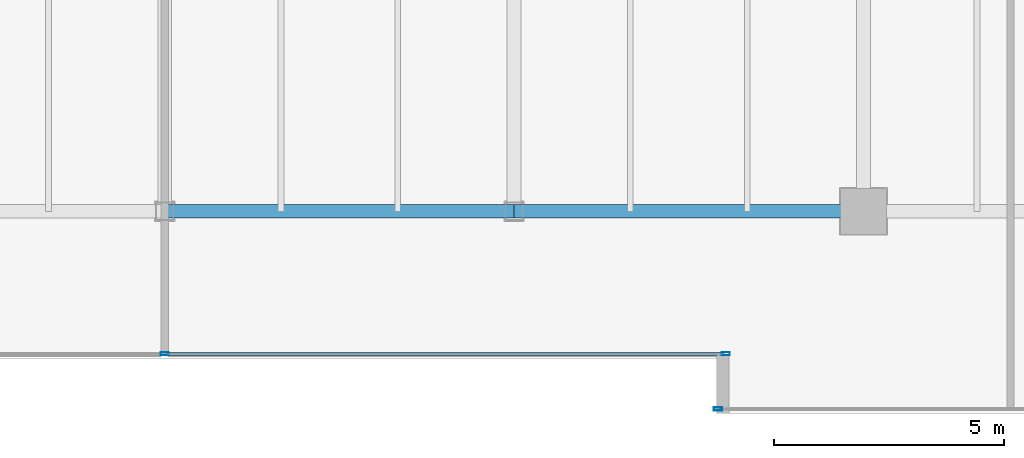
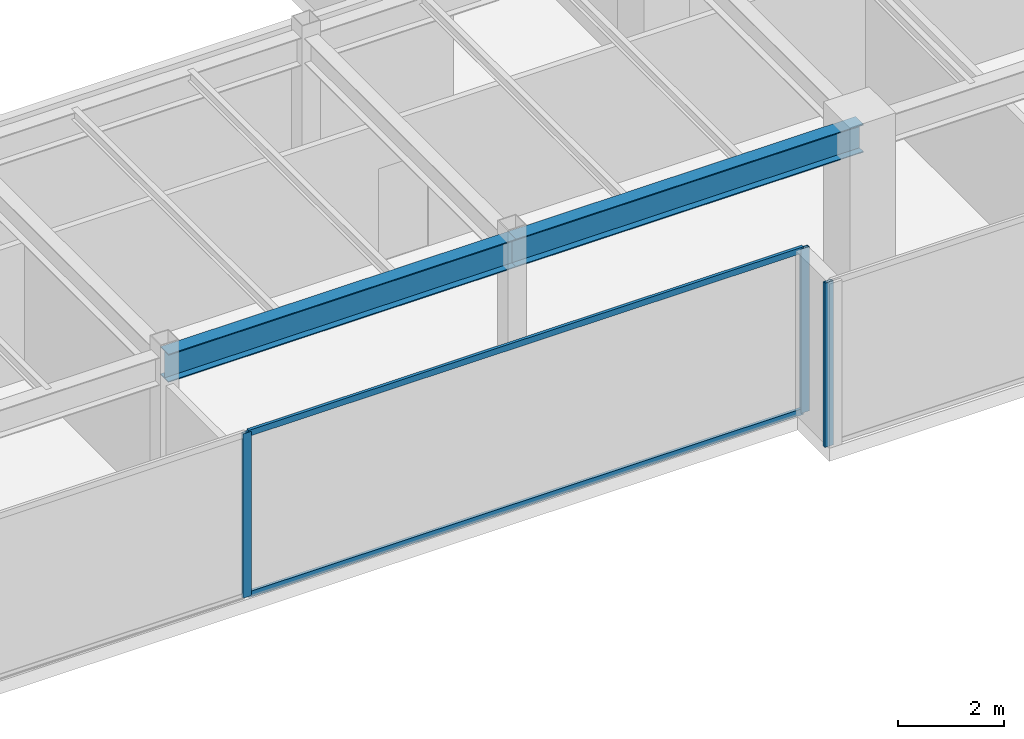
# One storey, part 11 of 36: 5 members, 2 beams, 2 elements without a shape of their own.
"""IFC4 building model written with IfcOpenShell, lengths in metres."""

from ifc_helpers import new_model, si_unit, direction, frame, origin, origin_2d, place, context, subcontext, project, spatial, hollow_rectangle, i_section, extrude, source, transform, mapped, material, layer, layer_set, material_profile, profile_set, type_object, type_shapes, element, aggregate, save


model = new_model("IFC4")

# Units and contexts
model_context = context("Model", 3, precision=1e-05, world=origin(), true_north=direction((0.0, 1.0)))
body_context = subcontext(model_context, "Body", "Model", "MODEL_VIEW")
ifc_project = project(units=[si_unit("LENGTHUNIT", "METRE"), si_unit("AREAUNIT", "SQUARE_METRE"), si_unit("VOLUMEUNIT", "CUBIC_METRE"), si_unit("PLANEANGLEUNIT", "RADIAN"), si_unit("MASSUNIT", "GRAM", prefix="KILO")], contexts=[model_context])

# Site, building, storey
site_placement = place(None, origin())
site = spatial("IfcSite", under=ifc_project, at=site_placement, CompositionType="ELEMENT")
building_placement = place(site_placement, origin())
building = spatial("IfcBuilding", under=site, at=building_placement, Name="Haelvirn Gate Laboratories", CompositionType="ELEMENT")
storey_placement = place(building_placement, frame((0.0, 0.0, 254.699951171875)))
storey = spatial("IfcBuildingStorey", under=building, at=storey_placement, Name="L61", CompositionType="ELEMENT", Elevation=254.699951171875)

# Beams
ifc_material_1 = material(Name="Steel SM355", Category="steel")
ifc_material_profile_1 = material_profile(ifc_material_1, i_section(OverallWidth=0.300048828125, OverallDepth=0.64990234375, WebThickness=0.012939453125, FlangeThickness=0.02197265625, at=origin_2d()), Name="H-650x300x13x22")
ifc_profile_set_1 = profile_set([ifc_material_profile_1], Name="Steel SM355")
beam_type = type_object("IfcBeamType", Name="BM-G-650", PredefinedType="BEAM", material=ifc_profile_set_1)
shared_shape_1 = source(origin(), body_context, "Body", "SweptSolid", [
    extrude(i_section(OverallWidth=0.300048828125, OverallDepth=0.64990234375, WebThickness=0.012939453125, FlangeThickness=0.02197265625, at=origin_2d()), origin(), (0.0, 0.0, 1.0), 7.60009765625),
])
type_shapes(beam_type, [shared_shape_1])
for number, where, z_axis, x_axis, name in (
    (1, (37.39990234375, 7.0, 3.47509765625), (1.0, 0.0, 0.0), (0.0, 1.0, 0.0), "L61 Primary Girder Y7.0 (37.4-45.0)"),
    (2, (45.0, 7.0, 3.47509765625), (1.0, 0.0, 0.0), (0.0, 1.0, 0.0), "L61 Primary Girder Y7.0 (45.0-52.6)"),
):
    element("IfcBeam", number, at=place(storey_placement, frame(where, z_axis=z_axis, x_axis=x_axis)), inside=storey, type_object=beam_type, Name=name, PredefinedType="BEAM", context=body_context, shape_type="MappedRepresentation", body=[
        mapped(shared_shape_1, transform((0.0, 0.0, 0.0), scale=1.0)),
    ])

# Curtain wall, members
ifc_material_2 = material(Name="Anodised bronze unitised aluminium & triple low-E glass", Category="aluminium")
ifc_layer = layer(ifc_material_2, 0.176025390625, Name="CW-SYS-4")
ifc_layer_set = layer_set([ifc_layer], Name="Anodised bronze unitised aluminium & triple low-E glass")
curtain_wall_type = type_object("IfcCurtainWallType", Name="CW-SYS-4", PredefinedType="NOTDEFINED", material=ifc_layer_set)
curtain_wall_1_placement = place(storey_placement, origin())
curtain_wall_1 = element("IfcCurtainWall", 3, at=curtain_wall_1_placement, inside=storey, type_object=curtain_wall_type, Name="L61 Unitised Curtain Wall CW-L61-P0-E02-1", PredefinedType="NOTDEFINED")
ifc_material_3 = material(Name="Extruded aluminium 6063-T6 (anodised bronze)", Category="aluminium")
ifc_material_profile_2 = material_profile(ifc_material_3, hollow_rectangle(XDim=0.06494140625, YDim=0.139892578125, WallThickness=0.00390625, at=origin_2d()), Name="CWT-140x65x4")
ifc_profile_set_2 = profile_set([ifc_material_profile_2], Name="Extruded aluminium 6063-T6 (anodised bronze)")
member_type_1 = type_object("IfcMemberType", Name="CWT-T140", PredefinedType="USERDEFINED", material=ifc_profile_set_2)
shared_shape_2 = source(origin(), body_context, "Body", "SweptSolid", [
    extrude(hollow_rectangle(XDim=0.06494140625, YDim=0.139892578125, WallThickness=0.00390625, at=origin_2d()), origin(), (0.0, 0.0, 1.0), 12.135009765625),
])
type_shapes(member_type_1, [shared_shape_2])
member_1_placement = place(storey_placement, frame((37.43505859375, 3.89990234375, 0.032470703125), z_axis=(1.0, 0.0, 0.0), x_axis=(0.0, 1.0, 0.0)))
member_1 = element("IfcMember", 4, at=member_1_placement, type_object=member_type_1, Name="CW4 transom 2.1", ObjectType="TRANSOM", PredefinedType="USERDEFINED", context=body_context, shape_type="MappedRepresentation", body=[
    mapped(shared_shape_2, transform((0.0, 0.0, 0.0), scale=1.0)),
])
member_2_placement = place(storey_placement, frame((37.43505859375, 3.89990234375, 3.767578125), z_axis=(1.0, 0.0, 0.0), x_axis=(0.0, 1.0, 0.0)))
member_2 = element("IfcMember", 5, at=member_2_placement, type_object=member_type_1, Name="CW4 transom 2.2", ObjectType="TRANSOM", PredefinedType="USERDEFINED", context=body_context, shape_type="MappedRepresentation", body=[
    mapped(shared_shape_2, transform((0.0, 0.0, 0.0), scale=1.0)),
])
ifc_material_profile_3 = material_profile(ifc_material_3, hollow_rectangle(XDim=0.070068359375, YDim=0.179931640625, WallThickness=0.0048828125, at=origin_2d()), Name="CWM-180x70x5")
ifc_profile_set_3 = profile_set([ifc_material_profile_3], Name="Extruded aluminium 6063-T6 (anodised bronze)")
member_type_2 = type_object("IfcMemberType", Name="CWM-T180", PredefinedType="MULLION", material=ifc_profile_set_3)
shared_shape_3 = source(origin(), body_context, "Body", "SweptSolid", [
    extrude(hollow_rectangle(XDim=0.070068359375, YDim=0.179931640625, WallThickness=0.0048828125, at=origin_2d()), origin(), (0.0, 0.0, 1.0), 3.800048828125),
])
type_shapes(member_type_2, [shared_shape_3])
member_3_placement = place(storey_placement, frame((37.39990234375, 3.89990234375, 0.0), z_axis=(0.0, 0.0, 1.0), x_axis=(0.0, 1.0, 0.0)))
member_3 = element("IfcMember", 6, at=member_3_placement, type_object=member_type_2, Name="CW4 mullion 2", PredefinedType="MULLION", context=body_context, shape_type="MappedRepresentation", body=[
    mapped(shared_shape_3, transform((0.0, 0.0, 0.0), scale=1.0)),
])
member_4_placement = place(storey_placement, frame((49.60498046875, 3.89990234375, 0.0), z_axis=(0.0, 0.0, 1.0), x_axis=(0.0, 1.0, 0.0)))
member_4 = element("IfcMember", 7, at=member_4_placement, type_object=member_type_2, Name="CW4 mullion 3", PredefinedType="MULLION", context=body_context, shape_type="MappedRepresentation", body=[
    mapped(shared_shape_3, transform((0.0, 0.0, 0.0), scale=1.0)),
])
aggregate(curtain_wall_1, [member_3, member_4, member_1, member_2])

# Curtain wall, member
curtain_wall_2_placement = place(storey_placement, origin())
curtain_wall_2 = element("IfcCurtainWall", 8, at=curtain_wall_2_placement, inside=storey, type_object=curtain_wall_type, Name="L61 Unitised Curtain Wall CW-L61-P0-E04-1", PredefinedType="NOTDEFINED")
member_5_placement = place(storey_placement, frame((49.43505859375, 2.699951171875, 0.0), z_axis=(0.0, 0.0, 1.0), x_axis=(0.0, 1.0, 0.0)))
member_5 = element("IfcMember", 9, at=member_5_placement, type_object=member_type_2, Name="CW4 mullion 1", PredefinedType="MULLION", context=body_context, shape_type="MappedRepresentation", body=[
    mapped(shared_shape_3, transform((0.0, 0.0, 0.0), scale=1.0)),
])
aggregate(curtain_wall_2, [member_5])

save(model, "model.ifc")
